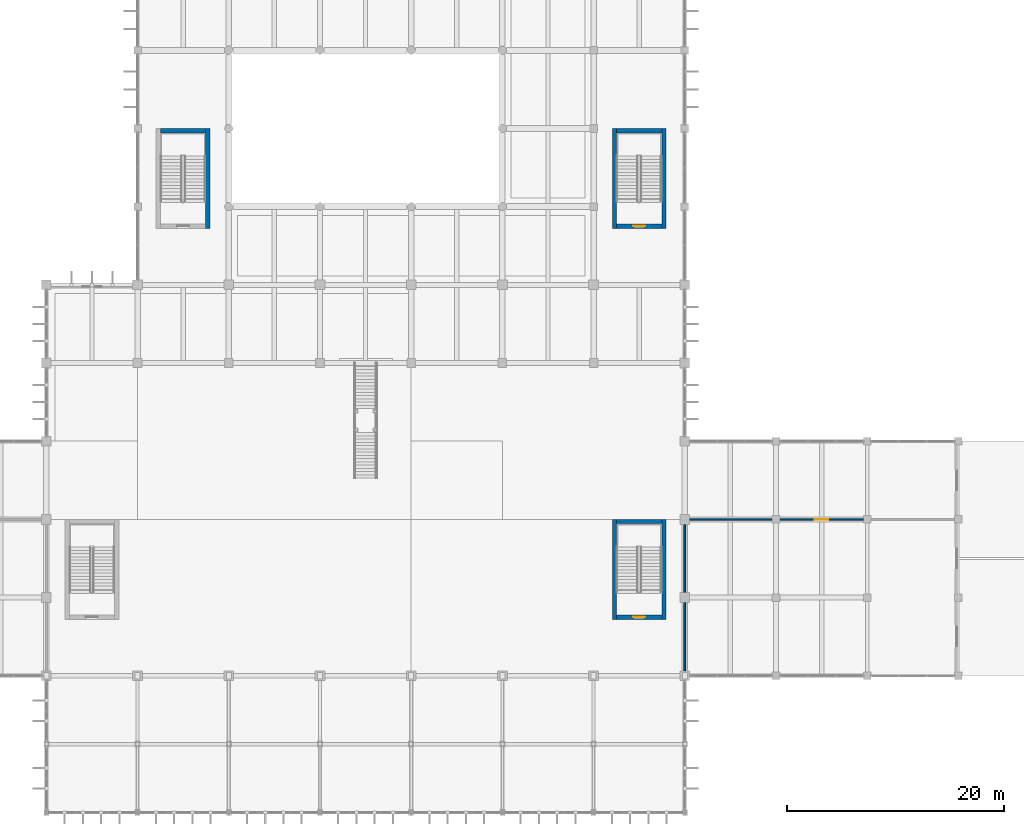
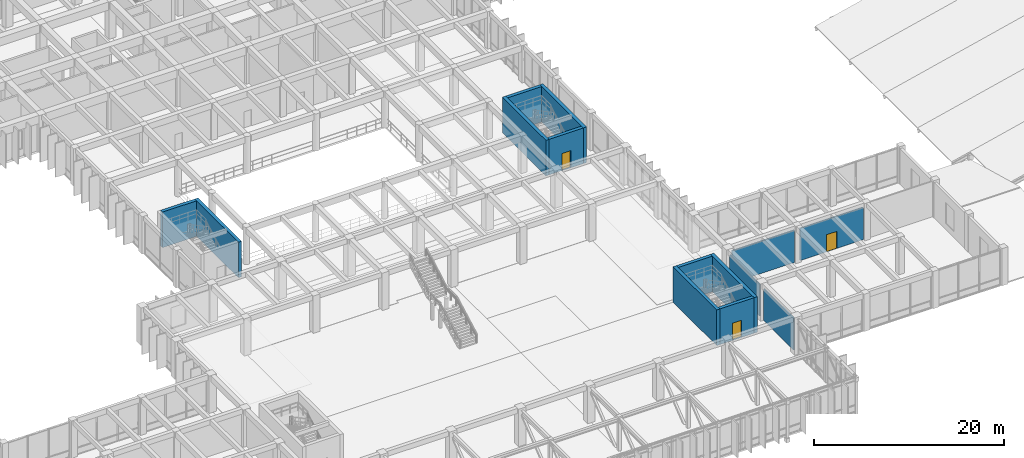
# One storey, part 32 of 51: 14 walls, 3 doors, 3 openings.
"""IFC4 building model written with IfcOpenShell, lengths in metres."""

from ifc_helpers import new_model, si_unit, direction, frame, frame_2d, origin, place, context, subcontext, project, spatial, rectangle, extrude, material, layer, layer_set, type_object, element, fill, save


model = new_model("IFC4")

# Units and contexts
model_context = context("Model", 3, precision=1e-05, world=origin(), true_north=direction((0.0, 1.0)))
body_context = subcontext(model_context, "Body", "Model", "MODEL_VIEW")
ifc_project = project(units=[si_unit("LENGTHUNIT", "METRE"), si_unit("AREAUNIT", "SQUARE_METRE"), si_unit("VOLUMEUNIT", "CUBIC_METRE"), si_unit("PLANEANGLEUNIT", "RADIAN"), si_unit("MASSUNIT", "GRAM", prefix="KILO")], contexts=[model_context])

# Site, building, storey
site_placement = place(None, origin())
site = spatial("IfcSite", under=ifc_project, at=site_placement, CompositionType="ELEMENT")
building_placement = place(site_placement, origin())
building = spatial("IfcBuilding", under=site, at=building_placement, Name="Kenerak Square Central Library", CompositionType="ELEMENT")
storey_placement = place(building_placement, frame((0.0, 0.0, 9.60009765625)))
storey = spatial("IfcBuildingStorey", under=building, at=storey_placement, Name="L02", CompositionType="ELEMENT", Elevation=9.60009765625)

# Wall
ifc_material_1 = material(Name="Precast concrete C40/50", Category="concrete")
ifc_layer_1 = layer(ifc_material_1, 0.14990234375)
ifc_layer_set_1 = layer_set([ifc_layer_1], Name="Precast concrete C40/50")
wall_type_1 = type_object("IfcWallType", Name="Acoustic Blockwork Partition IW-150 C40/50", PredefinedType="PARTITIONING", material=ifc_layer_set_1)
wall_1_placement = place(storey_placement, frame((117.64990234375, 31.199951171875, 0.0), z_axis=(0.0, 0.0, 1.0), x_axis=(1.0, 0.0, 0.0)))
element("IfcWall", 1, at=wall_1_placement, inside=storey, type_object=wall_type_1, Name="Interior Wall IW-L02-03-N2-B1", PredefinedType="PARTITIONING", context=body_context, shape_type="SweptSolid", body=[
    extrude(rectangle(XDim=7.60009765625, YDim=0.14990234375, at=frame_2d((3.800048828125, 0.0))), origin(), (0.0, 0.0, 1.0), 4.14990234375),
])

# Wall, opening, door
wall_2_placement = place(storey_placement, frame((125.949951171875, 31.199951171875, 0.0), z_axis=(0.0, 0.0, 1.0), x_axis=(1.0, 0.0, 0.0)))
wall_2 = element("IfcWall", 2, at=wall_2_placement, inside=storey, type_object=wall_type_1, Name="Interior Wall IW-L02-03-N2-B2", PredefinedType="PARTITIONING", context=body_context, shape_type="SweptSolid", body=[
    extrude(rectangle(XDim=7.699951171875, YDim=0.14990234375, at=frame_2d((3.85009765625, 0.0))), origin(), (0.0, 0.0, 1.0), 4.14990234375),
])
opening_1_placement = place(wall_2_placement, frame((3.22509765625, 0.0, 0.0)))
opening_1 = element("IfcOpeningElement", 3, at=opening_1_placement, cuts=wall_2, Name="Opening ID-06", PredefinedType="OPENING", context=body_context, shape_type="SweptSolid", body=[
    extrude(rectangle(XDim=1.25, YDim=2.199951171875, at=frame_2d((0.625, 1.10009765625))), frame((0.0, 0.0849609375, 0.0), z_axis=(0.0, -1.0, 0.0), x_axis=(1.0, 0.0, 0.0)), (0.0, 0.0, 1.0), 0.169921875),
])
ifc_material_2 = material(Name="Chengal hardwood timber SG1", Category="wood")
door_type_1 = type_object("IfcDoorType", Name="Studio Sliding Acoustic Door ID-1250x2200", OperationType="NOTDEFINED", PredefinedType="DOOR", material=ifc_material_2)
door_1_placement = place(opening_1_placement, origin())
door_1 = element("IfcDoor", 4, at=door_1_placement, inside=storey, type_object=door_type_1, Name="Digital Media Editing and Podcasting Lab Door", OperationType="SLIDING_TO_LEFT", OverallHeight=2.199951171875, OverallWidth=1.25, PredefinedType="DOOR", context=body_context, shape_type="SweptSolid", body=[
    extrude(rectangle(XDim=1.25, YDim=2.199951171875, at=frame_2d((0.625, 1.10009765625))), frame((0.0, 0.02490234375, 0.0), z_axis=(0.0, -1.0, 0.0), x_axis=(1.0, 0.0, 0.0)), (0.0, 0.0, 1.0), 0.050048828125),
])
fill(opening_1, door_1)

# Walls
for number, where, z_axis, x_axis, name in (
    (5, (117.199951171875, 17.25, 0.0), (0.0, 0.0, 1.0), (0.0, 1.0, 0.0), "Interior Wall IW-L02-03-W3-B1"),
    (6, (117.199951171875, 24.449951171875, 0.0), (0.0, 0.0, 1.0), (0.0, 1.0, 0.0), "Interior Wall IW-L02-03-W3-B2"),
):
    element("IfcWall", number, at=place(storey_placement, frame(where, z_axis=z_axis, x_axis=x_axis)), inside=storey, type_object=wall_type_1, Name=name, PredefinedType="PARTITIONING", context=body_context, shape_type="SweptSolid", body=[
        extrude(rectangle(XDim=6.300048828125, YDim=0.14990234375, at=frame_2d((3.14990234375, 0.0))), origin(), (0.0, 0.0, 1.0), 4.0498046875),
    ])
ifc_material_3 = material(Name="Concrete C40/50", Category="concrete")
ifc_layer_2 = layer(ifc_material_3, 0.39990234375)
ifc_layer_set_2 = layer_set([ifc_layer_2], Name="Concrete C40/50")
wall_type_2 = type_object("IfcWallType", Name="Core Shear Wall CW-400 C40/50", PredefinedType="SHEAR", material=ifc_layer_set_2)
for number, where, z_axis, x_axis, name in (
    (7, (110.719970703125, 22.0, 0.0), (0.0, 0.0, 1.0), (0.0, 1.0, 0.0), "Core Wall CW-C5 L02 West"),
    (8, (115.280029296875, 31.199951171875, 0.0), (0.0, 0.0, 1.0), (0.0, -1.0, 0.0), "Core Wall CW-C5 L02 East"),
):
    element("IfcWall", number, at=place(storey_placement, frame(where, z_axis=z_axis, x_axis=x_axis)), inside=storey, type_object=wall_type_2, Name=name, PredefinedType="SHEAR", context=body_context, shape_type="SweptSolid", body=[
        extrude(rectangle(XDim=9.199951171875, YDim=0.39990234375, at=frame_2d((4.60009765625, 0.0))), origin(), (0.0, 0.0, 1.0), 4.574951171875),
    ])

# Wall, opening, door
wall_3_placement = place(storey_placement, frame((115.080078125, 22.199951171875, 0.0), z_axis=(0.0, 0.0, 1.0), x_axis=(-1.0, 0.0, 0.0)))
wall_3 = element("IfcWall", 9, at=wall_3_placement, inside=storey, type_object=wall_type_2, Name="Core Wall CW-C5 L02 South", PredefinedType="SHEAR", context=body_context, shape_type="SweptSolid", body=[
    extrude(rectangle(XDim=4.16015625, YDim=0.39990234375, at=frame_2d((2.080078125, 0.0))), origin(), (0.0, 0.0, 1.0), 4.574951171875),
])
opening_2_placement = place(wall_3_placement, frame((1.530029296875, 0.0, 0.0)))
opening_2 = element("IfcOpeningElement", 10, at=opening_2_placement, cuts=wall_3, Name="Opening D-ST1", PredefinedType="OPENING", context=body_context, shape_type="SweptSolid", body=[
    extrude(rectangle(XDim=1.10009765625, YDim=2.199951171875, at=frame_2d((0.550048828125, 1.10009765625))), frame((0.0, 0.2099609375, 0.0), z_axis=(0.0, -1.0, 0.0), x_axis=(1.0, 0.0, 0.0)), (0.0, 0.0, 1.0), 0.419921875),
])
ifc_material_4 = material(Name="Steel S355", Category="steel")
door_type_2 = type_object("IfcDoorType", Name="Protected Stair Fire Door FD-1100x2200 FD60S", OperationType="NOTDEFINED", PredefinedType="DOOR", material=ifc_material_4)
door_2_placement = place(opening_2_placement, frame((1.10009765625, 0.0, 0.0), z_axis=(0.0, 0.0, 1.0), x_axis=(-1.0, 0.0, 0.0)))
door_2 = element("IfcDoor", 11, at=door_2_placement, inside=storey, type_object=door_type_2, Name="Stair Door ST-05 L02", OperationType="SINGLE_SWING_LEFT", OverallHeight=2.199951171875, OverallWidth=1.10009765625, PredefinedType="DOOR", context=body_context, shape_type="SweptSolid", body=[
    extrude(rectangle(XDim=1.10009765625, YDim=2.199951171875, at=frame_2d((0.550048828125, 1.10009765625))), frame((0.0, 0.02490234375, 0.0), z_axis=(0.0, -1.0, 0.0), x_axis=(1.0, 0.0, 0.0)), (0.0, 0.0, 1.0), 0.050048828125),
])
fill(opening_2, door_2)

# Walls
wall_4_placement = place(storey_placement, frame((110.919921875, 31.0, 0.0), z_axis=(0.0, 0.0, 1.0), x_axis=(1.0, 0.0, 0.0)))
element("IfcWall", 12, at=wall_4_placement, inside=storey, type_object=wall_type_2, Name="Core Wall CW-C5 L02 North", PredefinedType="SHEAR", context=body_context, shape_type="SweptSolid", body=[
    extrude(rectangle(XDim=4.16015625, YDim=0.39990234375, at=frame_2d((2.080078125, 0.0))), origin(), (0.0, 0.0, 1.0), 4.574951171875),
])
wall_5_placement = place(storey_placement, frame((73.280029296875, 67.199951171875, 0.0), z_axis=(0.0, 0.0, 1.0), x_axis=(0.0, -1.0, 0.0)))
element("IfcWall", 13, at=wall_5_placement, inside=storey, type_object=wall_type_2, Name="Core Wall CW-C8 L02 East", PredefinedType="SHEAR", context=body_context, shape_type="SweptSolid", body=[
    extrude(rectangle(XDim=9.199951171875, YDim=0.39990234375, at=frame_2d((4.60009765625, 0.0))), origin(), (0.0, 0.0, 1.0), 4.574951171875),
])
wall_6_placement = place(storey_placement, frame((68.919921875, 67.0, 0.0), z_axis=(0.0, 0.0, 1.0), x_axis=(1.0, 0.0, 0.0)))
element("IfcWall", 14, at=wall_6_placement, inside=storey, type_object=wall_type_2, Name="Core Wall CW-C8 L02 North", PredefinedType="SHEAR", context=body_context, shape_type="SweptSolid", body=[
    extrude(rectangle(XDim=4.16015625, YDim=0.39990234375, at=frame_2d((2.080078125, 0.0))), origin(), (0.0, 0.0, 1.0), 4.574951171875),
])
for number, where, z_axis, x_axis, name in (
    (15, (110.719970703125, 58.0, 0.0), (0.0, 0.0, 1.0), (0.0, 1.0, 0.0), "Core Wall CW-C9 L02 West"),
    (16, (115.280029296875, 67.199951171875, 0.0), (0.0, 0.0, 1.0), (0.0, -1.0, 0.0), "Core Wall CW-C9 L02 East"),
):
    element("IfcWall", number, at=place(storey_placement, frame(where, z_axis=z_axis, x_axis=x_axis)), inside=storey, type_object=wall_type_2, Name=name, PredefinedType="SHEAR", context=body_context, shape_type="SweptSolid", body=[
        extrude(rectangle(XDim=9.199951171875, YDim=0.39990234375, at=frame_2d((4.60009765625, 0.0))), origin(), (0.0, 0.0, 1.0), 4.574951171875),
    ])

# Wall, opening, door
wall_7_placement = place(storey_placement, frame((115.080078125, 58.199951171875, 0.0), z_axis=(0.0, 0.0, 1.0), x_axis=(-1.0, 0.0, 0.0)))
wall_7 = element("IfcWall", 17, at=wall_7_placement, inside=storey, type_object=wall_type_2, Name="Core Wall CW-C9 L02 South", PredefinedType="SHEAR", context=body_context, shape_type="SweptSolid", body=[
    extrude(rectangle(XDim=4.16015625, YDim=0.39990234375, at=frame_2d((2.080078125, 0.0))), origin(), (0.0, 0.0, 1.0), 4.574951171875),
])
opening_3_placement = place(wall_7_placement, frame((1.530029296875, 0.0, 0.0)))
opening_3 = element("IfcOpeningElement", 18, at=opening_3_placement, cuts=wall_7, Name="Opening D-ST1", PredefinedType="OPENING", context=body_context, shape_type="SweptSolid", body=[
    extrude(rectangle(XDim=1.10009765625, YDim=2.199951171875, at=frame_2d((0.550048828125, 1.10009765625))), frame((0.0, 0.2099609375, 0.0), z_axis=(0.0, -1.0, 0.0), x_axis=(1.0, 0.0, 0.0)), (0.0, 0.0, 1.0), 0.419921875),
])
door_3_placement = place(opening_3_placement, frame((1.10009765625, 0.0, 0.0), z_axis=(0.0, 0.0, 1.0), x_axis=(-1.0, 0.0, 0.0)))
door_3 = element("IfcDoor", 19, at=door_3_placement, inside=storey, type_object=door_type_2, Name="Stair Door ST-09 L02", OperationType="SINGLE_SWING_LEFT", OverallHeight=2.199951171875, OverallWidth=1.10009765625, PredefinedType="DOOR", context=body_context, shape_type="SweptSolid", body=[
    extrude(rectangle(XDim=1.10009765625, YDim=2.199951171875, at=frame_2d((0.550048828125, 1.10009765625))), frame((0.0, 0.02490234375, 0.0), z_axis=(0.0, -1.0, 0.0), x_axis=(1.0, 0.0, 0.0)), (0.0, 0.0, 1.0), 0.050048828125),
])
fill(opening_3, door_3)

# Wall
wall_8_placement = place(storey_placement, frame((110.919921875, 67.0, 0.0), z_axis=(0.0, 0.0, 1.0), x_axis=(1.0, 0.0, 0.0)))
element("IfcWall", 20, at=wall_8_placement, inside=storey, type_object=wall_type_2, Name="Core Wall CW-C9 L02 North", PredefinedType="SHEAR", context=body_context, shape_type="SweptSolid", body=[
    extrude(rectangle(XDim=4.16015625, YDim=0.39990234375, at=frame_2d((2.080078125, 0.0))), origin(), (0.0, 0.0, 1.0), 4.574951171875),
])

save(model, "model.ifc")
